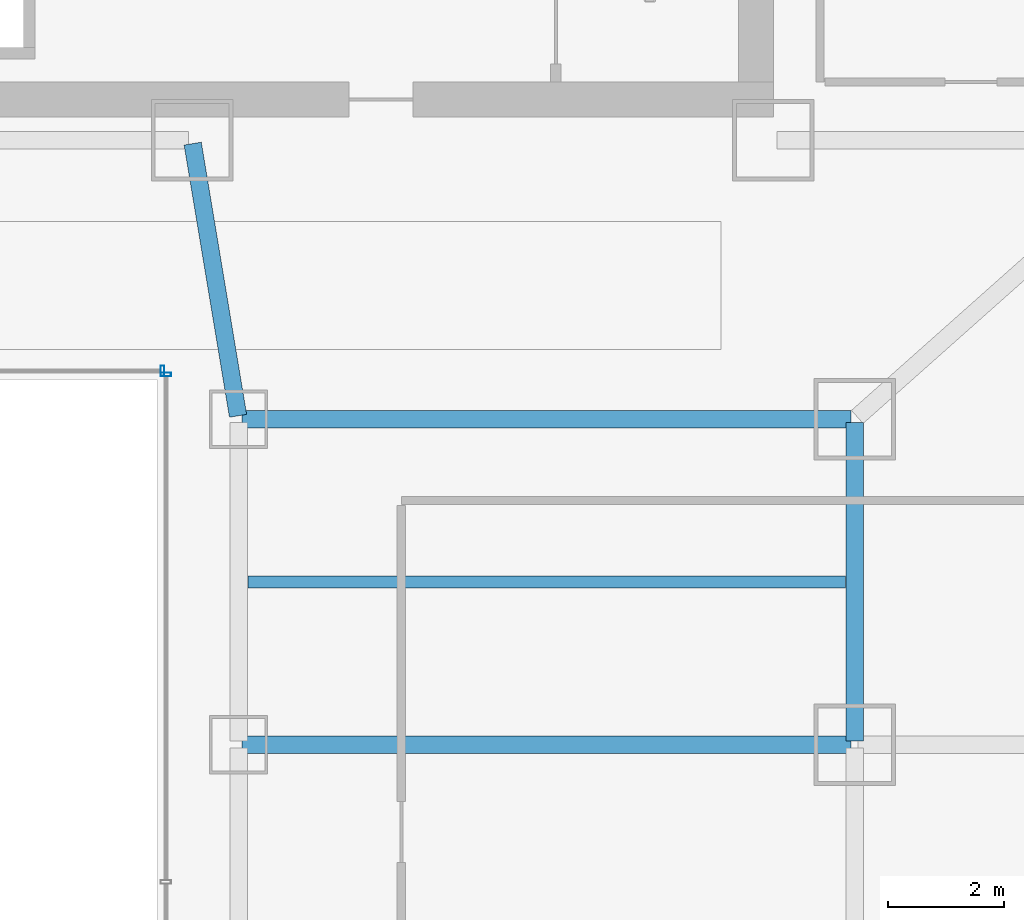
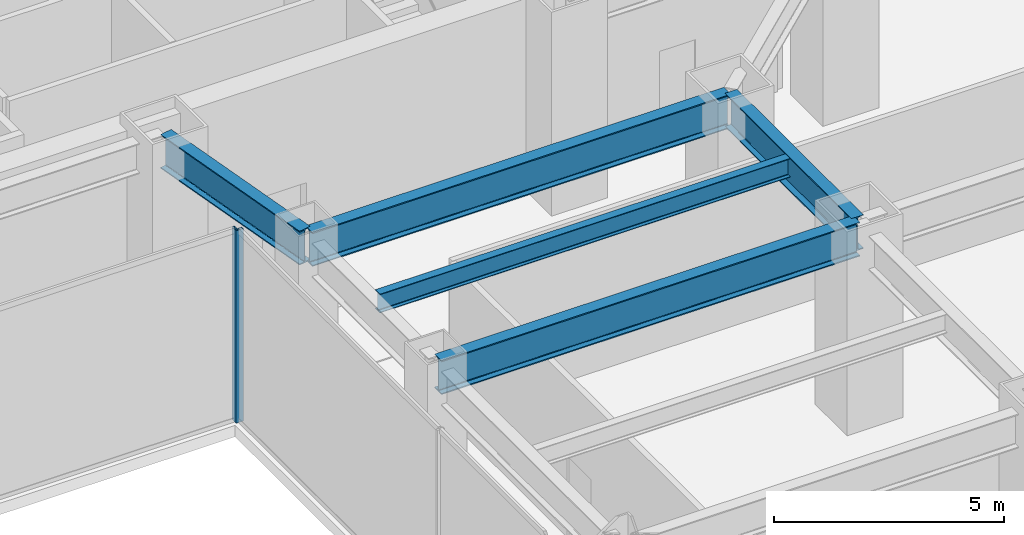
# One storey, part 26 of 52: 5 beams, 2 members, 2 elements without a shape of their own.
"""IFC4 building model written with IfcOpenShell, lengths in metres."""

from ifc_helpers import new_model, si_unit, direction, frame, origin, origin_2d, place, context, subcontext, project, spatial, hollow_rectangle, i_section, extrude, material, material_profile, profile_set, type_object, element, aggregate, save


model = new_model("IFC4")

# Units and contexts
model_context = context("Model", 3, precision=1e-05, world=origin(), true_north=direction((0.0, 1.0)))
body_context = subcontext(model_context, "Body", "Model", "MODEL_VIEW")
ifc_project = project(units=[si_unit("LENGTHUNIT", "METRE"), si_unit("AREAUNIT", "SQUARE_METRE"), si_unit("VOLUMEUNIT", "CUBIC_METRE"), si_unit("PLANEANGLEUNIT", "RADIAN"), si_unit("MASSUNIT", "GRAM", prefix="KILO")], contexts=[model_context])

# Site, building, storey
site_placement = place(None, origin())
site = spatial("IfcSite", under=ifc_project, at=site_placement, CompositionType="ELEMENT")
building_placement = place(site_placement, origin())
building = spatial("IfcBuilding", under=site, at=building_placement, Name="Saevonmaru Cultural Tower", CompositionType="ELEMENT")
storey_placement = place(building_placement, frame((0.0, 0.0, 16.800048828125)))
storey = spatial("IfcBuildingStorey", under=building, at=storey_placement, Name="L03", CompositionType="ELEMENT", Elevation=16.800048828125)

# Beams
ifc_material_1 = material(Name="Steel SM420", Category="steel")
ifc_material_profile_1 = material_profile(ifc_material_1, i_section(OverallWidth=0.300048828125, OverallDepth=0.89990234375, WebThickness=0.01611328125, FlangeThickness=0.028076171875, FilletRadius=0.028076171875, at=origin_2d()), Name="H-900x300x16x28")
ifc_profile_set_1 = profile_set([ifc_material_profile_1], Name="Steel SM420")
beam_type_1 = type_object("IfcBeamType", Name="BM-G-H900", PredefinedType="BEAM", material=ifc_profile_set_1)
beam_1_placement = place(storey_placement, frame((37.190185546875, 37.6591796875, 4.64990234375), z_axis=(-0.164398987305, 0.986393923832, 0.0), x_axis=(-0.986393923832, -0.164398987305, 0.0)))
element("IfcBeam", 1, at=beam_1_placement, inside=storey, type_object=beam_type_1, Name="L03 Podium Girder NS3-6", PredefinedType="BEAM", context=body_context, shape_type="SweptSolid", body=[
    extrude(i_section(OverallWidth=0.300048828125, OverallDepth=0.89990234375, WebThickness=0.01611328125, FlangeThickness=0.028076171875, FilletRadius=0.028076171875, at=origin_2d()), origin(), (0.0, 0.0, 1.0), 4.746337890625),
])
beam_2_placement = place(storey_placement, frame((47.800048828125, 32.06005859375, 4.64990234375), z_axis=(0.0, 1.0, 0.0), x_axis=(-1.0, 0.0, 0.0)))
element("IfcBeam", 2, at=beam_2_placement, inside=storey, type_object=beam_type_1, Name="L03 Podium Girder NS4-5", PredefinedType="BEAM", context=body_context, shape_type="SweptSolid", body=[
    extrude(i_section(OverallWidth=0.300048828125, OverallDepth=0.89990234375, WebThickness=0.01611328125, FlangeThickness=0.028076171875, FilletRadius=0.028076171875, at=origin_2d()), origin(), (0.0, 0.0, 1.0), 5.47998046875),
])
for number, where, z_axis, x_axis, name in (
    (3, (37.260009765625, 32.0, 4.64990234375), (1.0, 0.0, 0.0), (0.0, 1.0, 0.0), "L03 Gallery Girder E-4"),
    (4, (37.260009765625, 37.60009765625, 4.64990234375), (1.0, 0.0, 0.0), (0.0, 1.0, 0.0), "L03 Gallery Girder E-5"),
):
    element("IfcBeam", number, at=place(storey_placement, frame(where, z_axis=z_axis, x_axis=x_axis)), inside=storey, type_object=beam_type_1, Name=name, PredefinedType="BEAM", context=body_context, shape_type="SweptSolid", body=[
        extrude(i_section(OverallWidth=0.300048828125, OverallDepth=0.89990234375, WebThickness=0.01611328125, FlangeThickness=0.028076171875, FilletRadius=0.028076171875, at=origin_2d()), origin(), (0.0, 0.0, 1.0), 10.47998046875),
    ])
ifc_material_2 = material(Name="Steel SM355", Category="steel")
ifc_material_profile_2 = material_profile(ifc_material_2, i_section(OverallWidth=0.199951171875, OverallDepth=0.5, WebThickness=0.010009765625, FlangeThickness=0.01611328125, FilletRadius=0.02001953125, at=origin_2d()), Name="H-500x200x10x16")
ifc_profile_set_2 = profile_set([ifc_material_profile_2], Name="Steel SM355")
beam_type_2 = type_object("IfcBeamType", Name="BM-J-H500", PredefinedType="JOIST", material=ifc_profile_set_2)
beam_3_placement = place(storey_placement, frame((37.35791015625, 34.800048828125, 4.849853515625), z_axis=(1.0, 0.0, 0.0), x_axis=(0.0, 1.0, 0.0)))
element("IfcBeam", 5, at=beam_3_placement, inside=storey, type_object=beam_type_2, Name="L03 Secondary Floor Joist JE-4", PredefinedType="JOIST", context=body_context, shape_type="SweptSolid", body=[
    extrude(i_section(OverallWidth=0.199951171875, OverallDepth=0.5, WebThickness=0.010009765625, FlangeThickness=0.01611328125, FilletRadius=0.02001953125, at=origin_2d()), origin(), (0.0, 0.0, 1.0), 10.2841796875),
])

# Curtain wall, member
ifc_material_3 = material(Name="Satin Bronze Anodised Aluminium", Category="aluminium")
curtain_wall_type = type_object("IfcCurtainWallType", Name="CW-ATR-GLZ", PredefinedType="NOTDEFINED", material=ifc_material_3)
curtain_wall_1_placement = place(storey_placement, origin())
curtain_wall_1 = element("IfcCurtainWall", 6, at=curtain_wall_1_placement, inside=storey, type_object=curtain_wall_type, Name="L03 Vertical Atrium Glazed Smoke Screen 2", PredefinedType="NOTDEFINED")
ifc_material_profile_3 = material_profile(ifc_material_3, hollow_rectangle(XDim=0.06494140625, YDim=0.179931640625, WallThickness=0.00390625, at=origin_2d()), Name="ALU-MULL-180x65x4")
ifc_profile_set_3 = profile_set([ifc_material_profile_3], Name="Satin Bronze Anodised Aluminium")
member_type = type_object("IfcMemberType", Name="ML-CW-INT-180x65", PredefinedType="MULLION", material=ifc_profile_set_3)
member_1_placement = place(storey_placement, frame((35.949951171875, 38.3701171875, 0.0), z_axis=(0.0, 0.0, 1.0), x_axis=(0.0, 1.0, 0.0)))
member_1 = element("IfcMember", 7, at=member_1_placement, type_object=member_type, Name="CW-ATR-L03-2 mullion 3", PredefinedType="MULLION", context=body_context, shape_type="SweptSolid", body=[
    extrude(hollow_rectangle(XDim=0.06494140625, YDim=0.179931640625, WallThickness=0.00390625, at=origin_2d()), origin(), (0.0, 0.0, 1.0), 5.099853515625),
])
aggregate(curtain_wall_1, [member_1])

curtain_wall_2_placement = place(storey_placement, origin())
curtain_wall_2 = element("IfcCurtainWall", 8, at=curtain_wall_2_placement, inside=storey, type_object=curtain_wall_type, Name="L03 Vertical Atrium Glazed Smoke Screen 3", PredefinedType="NOTDEFINED")
member_2_placement = place(storey_placement, frame((35.889892578125, 38.429931640625, 0.0), z_axis=(0.0, 0.0, 1.0), x_axis=(-1.0, 0.0, 0.0)))
member_2 = element("IfcMember", 9, at=member_2_placement, type_object=member_type, Name="CW-ATR-L03-3 mullion 1", PredefinedType="MULLION", context=body_context, shape_type="SweptSolid", body=[
    extrude(hollow_rectangle(XDim=0.06494140625, YDim=0.179931640625, WallThickness=0.00390625, at=origin_2d()), origin(), (0.0, 0.0, 1.0), 5.099853515625),
])
aggregate(curtain_wall_2, [member_2])

save(model, "model.ifc")
